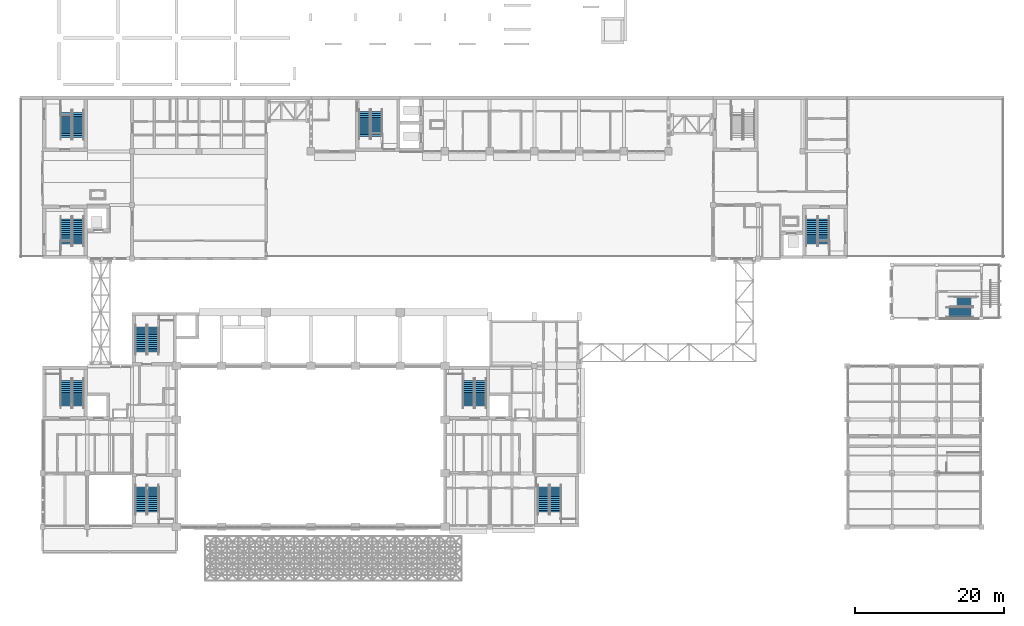
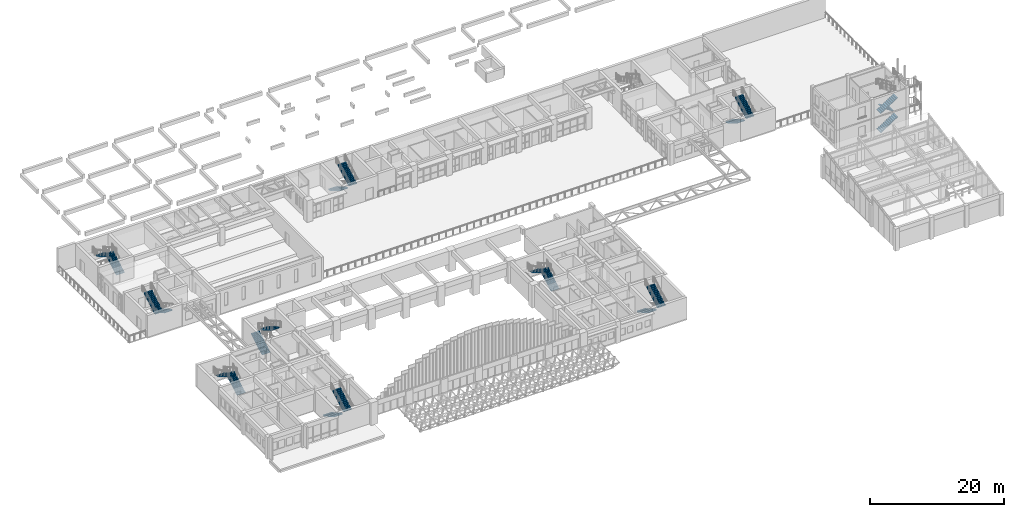
# One storey, part 75 of 103: 21 stair flights, 11 elements without a shape of their own.
"""IFC4 building model written with IfcOpenShell, lengths in metres."""

from ifc_helpers import new_model, si_unit, direction, frame, origin, place, context, subcontext, project, spatial, polyline, outline, extrude, material, type_object, element, aggregate, save


model = new_model("IFC4")

# Units and contexts
model_context = context("Model", 3, precision=1e-05, world=origin(), true_north=direction((0.0, 1.0)))
body_context = subcontext(model_context, "Body", "Model", "MODEL_VIEW")
ifc_project = project(units=[si_unit("LENGTHUNIT", "METRE"), si_unit("AREAUNIT", "SQUARE_METRE"), si_unit("VOLUMEUNIT", "CUBIC_METRE"), si_unit("PLANEANGLEUNIT", "RADIAN"), si_unit("MASSUNIT", "GRAM", prefix="KILO")], contexts=[model_context])

# Site, building, storey
site_placement = place(None, origin())
site = spatial("IfcSite", under=ifc_project, at=site_placement, CompositionType="ELEMENT")
building_placement = place(site_placement, origin())
building = spatial("IfcBuilding", under=site, at=building_placement, Name="Laocheng Heights Fire and Rescue Headquarters", CompositionType="ELEMENT")
storey_placement = place(building_placement, frame((0.0, 0.0, 4.199951171875)))
storey = spatial("IfcBuildingStorey", under=building, at=storey_placement, Name="L01", CompositionType="ELEMENT", Elevation=4.199951171875)

# Stair, stair flights
ifc_material_1 = material(Name="Concrete C40", Category="concrete")
stair_type_1 = type_object("IfcStairType", Name="RC STAIR 1200 TWO FLIGHTS 20 RISERS OF 175 GOING 270", PredefinedType="HALF_TURN_STAIR", material=ifc_material_1)
stair_1_placement = place(storey_placement, origin())
stair_1 = element("IfcStair", 1, at=stair_1_placement, inside=storey, type_object=stair_type_1, Name="Stair T1 (F2 to F3)", PredefinedType="HALF_TURN_STAIR")
ifc_material_2 = material(Name="Concrete C40", Category="concrete")
stair_flight_type_1 = type_object("IfcStairFlightType", Name="RC STAIR FLIGHT 1200 RISERS OF 175 GOING 270", PredefinedType="STRAIGHT", material=ifc_material_2)
stair_flight_1_placement = place(storey_placement, frame((121.625, 28.800048828125, -0.699951171875), z_axis=(0.0, 0.0, 1.0), x_axis=(1.0, 0.0, 0.0)))
stair_flight_1 = element("IfcStairFlight", 2, at=stair_flight_1_placement, type_object=stair_flight_type_1, Name="T1-F2 flight 1", NumberOfRisers=12, NumberOfTreads=11, PredefinedType="STRAIGHT", RiserHeight=0.175, TreadLength=0.27, context=body_context, shape_type="SweptSolid", body=[
    extrude(outline(polyline([(0.0, 0.0), (0.0, 0.175048828125), (0.27001953125, 0.175048828125), (0.27001953125, 0.35009765625), (0.5400390625, 0.35009765625), (0.5400390625, 0.52490234375), (0.81005859375, 0.52490234375), (0.81005859375, 0.699951171875), (1.080078125, 0.699951171875), (1.080078125, 0.875), (1.35009765625, 0.875), (1.35009765625, 1.050048828125), (1.6201171875, 1.050048828125), (1.6201171875, 1.22509765625), (1.889892578125, 1.22509765625), (1.889892578125, 1.39990234375), (2.159912109375, 1.39990234375), (2.159912109375, 1.574951171875), (2.429931640625, 1.574951171875), (2.429931640625, 1.75), (2.699951171875, 1.75), (2.699951171875, 1.925048828125), (2.969970703125, 1.925048828125), (2.969970703125, 2.10009765625), (2.969970703125, 1.865478515625), (0.092041015625, 0.0), (0.0, 0.0)])), frame((0.0, 0.60009765625, 0.0), z_axis=(0.0, -1.0, 0.0), x_axis=(1.0, 0.0, 0.0)), (0.0, 0.0, 1.0), 1.199951171875),
])
stair_flight_2_placement = place(storey_placement, frame((124.594970703125, 30.199951171875, 1.402099609375), z_axis=(0.0, 0.0, 1.0), x_axis=(-1.0, 0.0, 0.0)))
stair_flight_2 = element("IfcStairFlight", 3, at=stair_flight_2_placement, type_object=stair_flight_type_1, Name="T1-F2 flight 2", NumberOfRisers=8, NumberOfTreads=7, PredefinedType="STRAIGHT", RiserHeight=0.175, TreadLength=0.27, context=body_context, shape_type="SweptSolid", body=[
    extrude(outline(polyline([(0.0, 0.0), (0.0, 0.175048828125), (0.27001953125, 0.175048828125), (0.27001953125, 0.35009765625), (0.5400390625, 0.35009765625), (0.5400390625, 0.52490234375), (0.81005859375, 0.52490234375), (0.81005859375, 0.699951171875), (1.080078125, 0.699951171875), (1.080078125, 0.875), (1.35009765625, 0.875), (1.35009765625, 1.050048828125), (1.6201171875, 1.050048828125), (1.6201171875, 1.22509765625), (1.889892578125, 1.22509765625), (1.889892578125, 1.39990234375), (1.889892578125, 1.165283203125), (0.092041015625, 0.0), (0.0, 0.0)])), frame((0.0, 0.60009765625, 0.0), z_axis=(0.0, -1.0, 0.0), x_axis=(1.0, 0.0, 0.0)), (0.0, 0.0, 1.0), 1.199951171875),
])
aggregate(stair_1, [stair_flight_1, stair_flight_2])

# Stair, stair flight
stair_2_placement = place(storey_placement, origin())
stair_2 = element("IfcStair", 4, at=stair_2_placement, inside=storey, type_object=stair_type_1, Name="Stair T1 (F3 to F4)", PredefinedType="HALF_TURN_STAIR")
stair_flight_3_placement = place(storey_placement, frame((121.625, 28.800048828125, 2.800048828125), z_axis=(0.0, 0.0, 1.0), x_axis=(1.0, 0.0, 0.0)))
stair_flight_3 = element("IfcStairFlight", 5, at=stair_flight_3_placement, type_object=stair_flight_type_1, Name="T1-F3 flight 1", NumberOfRisers=12, NumberOfTreads=11, PredefinedType="STRAIGHT", RiserHeight=0.175, TreadLength=0.27, context=body_context, shape_type="SweptSolid", body=[
    extrude(outline(polyline([(0.0, 0.0), (0.0, 0.175048828125), (0.27001953125, 0.175048828125), (0.27001953125, 0.35009765625), (0.5400390625, 0.35009765625), (0.5400390625, 0.52490234375), (0.81005859375, 0.52490234375), (0.81005859375, 0.699951171875), (1.080078125, 0.699951171875), (1.080078125, 0.875), (1.35009765625, 0.875), (1.35009765625, 1.050048828125), (1.6201171875, 1.050048828125), (1.6201171875, 1.22509765625), (1.889892578125, 1.22509765625), (1.889892578125, 1.39990234375), (2.159912109375, 1.39990234375), (2.159912109375, 1.574951171875), (2.429931640625, 1.574951171875), (2.429931640625, 1.75), (2.699951171875, 1.75), (2.699951171875, 1.925048828125), (2.969970703125, 1.925048828125), (2.969970703125, 2.10009765625), (2.969970703125, 1.865478515625), (0.092041015625, 0.0), (0.0, 0.0)])), frame((0.0, 0.60009765625, 0.0), z_axis=(0.0, -1.0, 0.0), x_axis=(1.0, 0.0, 0.0)), (0.0, 0.0, 1.0), 1.199951171875),
])
aggregate(stair_2, [stair_flight_3])

# Stair, stair flights
ifc_material_3 = material(Name="Concrete C40", Category="concrete")
stair_type_2 = type_object("IfcStairType", Name="RC STAIR 1400 TWO FLIGHTS 28 RISERS OF 150 GOING 260", PredefinedType="HALF_TURN_STAIR", material=ifc_material_3)
stair_3_placement = place(storey_placement, origin())
stair_3 = element("IfcStair", 6, at=stair_3_placement, inside=storey, type_object=stair_type_2, Name="Stair W1 (L01 to L02)", PredefinedType="HALF_TURN_STAIR")
ifc_material_4 = material(Name="Concrete C40", Category="concrete")
stair_flight_type_2 = type_object("IfcStairFlightType", Name="RC STAIR FLIGHT 1400 RISERS OF 150 GOING 260", PredefinedType="STRAIGHT", material=ifc_material_4)
stair_flight_4_placement = place(storey_placement, frame((4.77490234375, 16.25, 0.0), z_axis=(0.0, 0.0, 1.0), x_axis=(0.0, 1.0, 0.0)))
stair_flight_4 = element("IfcStairFlight", 7, at=stair_flight_4_placement, type_object=stair_flight_type_2, Name="W1-L01 flight 1", NumberOfRisers=14, NumberOfTreads=13, PredefinedType="STRAIGHT", RiserHeight=0.15, TreadLength=0.26, context=body_context, shape_type="SweptSolid", body=[
    extrude(outline(polyline([(0.0, 0.0), (0.0, 0.14990234375), (0.260009765625, 0.14990234375), (0.260009765625, 0.300048828125), (0.52001953125, 0.300048828125), (0.52001953125, 0.449951171875), (0.780029296875, 0.449951171875), (0.780029296875, 0.60009765625), (1.0400390625, 0.60009765625), (1.0400390625, 0.75), (1.300048828125, 0.75), (1.300048828125, 0.89990234375), (1.56005859375, 0.89990234375), (1.56005859375, 1.050048828125), (1.820068359375, 1.050048828125), (1.820068359375, 1.199951171875), (2.080078125, 1.199951171875), (2.080078125, 1.35009765625), (2.340087890625, 1.35009765625), (2.340087890625, 1.5), (2.60009765625, 1.5), (2.60009765625, 1.64990234375), (2.860107421875, 1.64990234375), (2.860107421875, 1.800048828125), (3.1201171875, 1.800048828125), (3.1201171875, 1.949951171875), (3.3798828125, 1.949951171875), (3.3798828125, 2.10009765625), (3.3798828125, 1.77685546875), (0.300048828125, 0.0), (0.0, 0.0)])), frame((0.0, 0.699951171875, 0.0), z_axis=(0.0, -1.0, 0.0), x_axis=(1.0, 0.0, 0.0)), (0.0, 0.0, 1.0), 1.39990234375),
])
stair_flight_5_placement = place(storey_placement, frame((3.175048828125, 19.6298828125, 2.10205078125), z_axis=(0.0, 0.0, 1.0), x_axis=(0.0, -1.0, 0.0)))
stair_flight_5 = element("IfcStairFlight", 8, at=stair_flight_5_placement, type_object=stair_flight_type_2, Name="W1-L01 flight 2", NumberOfRisers=14, NumberOfTreads=13, PredefinedType="STRAIGHT", RiserHeight=0.15, TreadLength=0.26, context=body_context, shape_type="SweptSolid", body=[
    extrude(outline(polyline([(0.0, 0.0), (0.0, 0.14990234375), (0.260009765625, 0.14990234375), (0.260009765625, 0.300048828125), (0.52001953125, 0.300048828125), (0.52001953125, 0.449951171875), (0.780029296875, 0.449951171875), (0.780029296875, 0.60009765625), (1.0400390625, 0.60009765625), (1.0400390625, 0.75), (1.300048828125, 0.75), (1.300048828125, 0.89990234375), (1.56005859375, 0.89990234375), (1.56005859375, 1.050048828125), (1.820068359375, 1.050048828125), (1.820068359375, 1.199951171875), (2.080078125, 1.199951171875), (2.080078125, 1.35009765625), (2.340087890625, 1.35009765625), (2.340087890625, 1.5), (2.60009765625, 1.5), (2.60009765625, 1.64990234375), (2.860107421875, 1.64990234375), (2.860107421875, 1.800048828125), (3.1201171875, 1.800048828125), (3.1201171875, 1.949951171875), (3.3798828125, 1.949951171875), (3.3798828125, 2.10009765625), (3.3798828125, 1.77685546875), (0.300048828125, 0.0), (0.0, 0.0)])), frame((0.0, 0.699951171875, 0.0), z_axis=(0.0, -1.0, 0.0), x_axis=(1.0, 0.0, 0.0)), (0.0, 0.0, 1.0), 1.39990234375),
])
aggregate(stair_3, [stair_flight_4, stair_flight_5])

stair_4_placement = place(storey_placement, origin())
stair_4 = element("IfcStair", 9, at=stair_4_placement, inside=storey, type_object=stair_type_2, Name="Stair W2 (L01 to L02)", PredefinedType="HALF_TURN_STAIR")
stair_flight_6_placement = place(storey_placement, frame((13.22509765625, 5.35009765625, 0.0), z_axis=(0.0, 0.0, 1.0), x_axis=(0.0, -1.0, 0.0)))
stair_flight_6 = element("IfcStairFlight", 10, at=stair_flight_6_placement, type_object=stair_flight_type_2, Name="W2-L01 flight 1", NumberOfRisers=14, NumberOfTreads=13, PredefinedType="STRAIGHT", RiserHeight=0.15, TreadLength=0.26, context=body_context, shape_type="SweptSolid", body=[
    extrude(outline(polyline([(0.0, 0.0), (0.0, 0.14990234375), (0.260009765625, 0.14990234375), (0.260009765625, 0.300048828125), (0.52001953125, 0.300048828125), (0.52001953125, 0.449951171875), (0.780029296875, 0.449951171875), (0.780029296875, 0.60009765625), (1.0400390625, 0.60009765625), (1.0400390625, 0.75), (1.300048828125, 0.75), (1.300048828125, 0.89990234375), (1.56005859375, 0.89990234375), (1.56005859375, 1.050048828125), (1.820068359375, 1.050048828125), (1.820068359375, 1.199951171875), (2.080078125, 1.199951171875), (2.080078125, 1.35009765625), (2.340087890625, 1.35009765625), (2.340087890625, 1.5), (2.60009765625, 1.5), (2.60009765625, 1.64990234375), (2.860107421875, 1.64990234375), (2.860107421875, 1.800048828125), (3.1201171875, 1.800048828125), (3.1201171875, 1.949951171875), (3.3798828125, 1.949951171875), (3.3798828125, 2.10009765625), (3.3798828125, 1.77685546875), (0.300048828125, 0.0), (0.0, 0.0)])), frame((0.0, 0.699951171875, 0.0), z_axis=(0.0, -1.0, 0.0), x_axis=(1.0, 0.0, 0.0)), (0.0, 0.0, 1.0), 1.39990234375),
])
stair_flight_7_placement = place(storey_placement, frame((14.824951171875, 1.969970703125, 2.10205078125), z_axis=(0.0, 0.0, 1.0), x_axis=(0.0, 1.0, 0.0)))
stair_flight_7 = element("IfcStairFlight", 11, at=stair_flight_7_placement, type_object=stair_flight_type_2, Name="W2-L01 flight 2", NumberOfRisers=14, NumberOfTreads=13, PredefinedType="STRAIGHT", RiserHeight=0.15, TreadLength=0.26, context=body_context, shape_type="SweptSolid", body=[
    extrude(outline(polyline([(0.0, 0.0), (0.0, 0.14990234375), (0.260009765625, 0.14990234375), (0.260009765625, 0.300048828125), (0.52001953125, 0.300048828125), (0.52001953125, 0.449951171875), (0.780029296875, 0.449951171875), (0.780029296875, 0.60009765625), (1.0400390625, 0.60009765625), (1.0400390625, 0.75), (1.300048828125, 0.75), (1.300048828125, 0.89990234375), (1.56005859375, 0.89990234375), (1.56005859375, 1.050048828125), (1.820068359375, 1.050048828125), (1.820068359375, 1.199951171875), (2.080078125, 1.199951171875), (2.080078125, 1.35009765625), (2.340087890625, 1.35009765625), (2.340087890625, 1.5), (2.60009765625, 1.5), (2.60009765625, 1.64990234375), (2.860107421875, 1.64990234375), (2.860107421875, 1.800048828125), (3.1201171875, 1.800048828125), (3.1201171875, 1.949951171875), (3.3798828125, 1.949951171875), (3.3798828125, 2.10009765625), (3.3798828125, 1.77685546875), (0.300048828125, 0.0), (0.0, 0.0)])), frame((0.0, 0.699951171875, 0.0), z_axis=(0.0, -1.0, 0.0), x_axis=(1.0, 0.0, 0.0)), (0.0, 0.0, 1.0), 1.39990234375),
])
aggregate(stair_4, [stair_flight_6, stair_flight_7])

stair_5_placement = place(storey_placement, origin())
stair_5 = element("IfcStair", 12, at=stair_5_placement, inside=storey, type_object=stair_type_2, Name="Stair E1 (L01 to L02)", PredefinedType="HALF_TURN_STAIR")
stair_flight_8_placement = place(storey_placement, frame((58.77490234375, 16.25, 0.0), z_axis=(0.0, 0.0, 1.0), x_axis=(0.0, 1.0, 0.0)))
stair_flight_8 = element("IfcStairFlight", 13, at=stair_flight_8_placement, type_object=stair_flight_type_2, Name="E1-L01 flight 1", NumberOfRisers=14, NumberOfTreads=13, PredefinedType="STRAIGHT", RiserHeight=0.15, TreadLength=0.26, context=body_context, shape_type="SweptSolid", body=[
    extrude(outline(polyline([(0.0, 0.0), (0.0, 0.14990234375), (0.260009765625, 0.14990234375), (0.260009765625, 0.300048828125), (0.52001953125, 0.300048828125), (0.52001953125, 0.449951171875), (0.780029296875, 0.449951171875), (0.780029296875, 0.60009765625), (1.0400390625, 0.60009765625), (1.0400390625, 0.75), (1.300048828125, 0.75), (1.300048828125, 0.89990234375), (1.56005859375, 0.89990234375), (1.56005859375, 1.050048828125), (1.820068359375, 1.050048828125), (1.820068359375, 1.199951171875), (2.080078125, 1.199951171875), (2.080078125, 1.35009765625), (2.340087890625, 1.35009765625), (2.340087890625, 1.5), (2.60009765625, 1.5), (2.60009765625, 1.64990234375), (2.860107421875, 1.64990234375), (2.860107421875, 1.800048828125), (3.1201171875, 1.800048828125), (3.1201171875, 1.949951171875), (3.3798828125, 1.949951171875), (3.3798828125, 2.10009765625), (3.3798828125, 1.77685546875), (0.300048828125, 0.0), (0.0, 0.0)])), frame((0.0, 0.699951171875, 0.0), z_axis=(0.0, -1.0, 0.0), x_axis=(1.0, 0.0, 0.0)), (0.0, 0.0, 1.0), 1.39990234375),
])
stair_flight_9_placement = place(storey_placement, frame((57.175048828125, 19.6298828125, 2.10205078125), z_axis=(0.0, 0.0, 1.0), x_axis=(0.0, -1.0, 0.0)))
stair_flight_9 = element("IfcStairFlight", 14, at=stair_flight_9_placement, type_object=stair_flight_type_2, Name="E1-L01 flight 2", NumberOfRisers=14, NumberOfTreads=13, PredefinedType="STRAIGHT", RiserHeight=0.15, TreadLength=0.26, context=body_context, shape_type="SweptSolid", body=[
    extrude(outline(polyline([(0.0, 0.0), (0.0, 0.14990234375), (0.260009765625, 0.14990234375), (0.260009765625, 0.300048828125), (0.52001953125, 0.300048828125), (0.52001953125, 0.449951171875), (0.780029296875, 0.449951171875), (0.780029296875, 0.60009765625), (1.0400390625, 0.60009765625), (1.0400390625, 0.75), (1.300048828125, 0.75), (1.300048828125, 0.89990234375), (1.56005859375, 0.89990234375), (1.56005859375, 1.050048828125), (1.820068359375, 1.050048828125), (1.820068359375, 1.199951171875), (2.080078125, 1.199951171875), (2.080078125, 1.35009765625), (2.340087890625, 1.35009765625), (2.340087890625, 1.5), (2.60009765625, 1.5), (2.60009765625, 1.64990234375), (2.860107421875, 1.64990234375), (2.860107421875, 1.800048828125), (3.1201171875, 1.800048828125), (3.1201171875, 1.949951171875), (3.3798828125, 1.949951171875), (3.3798828125, 2.10009765625), (3.3798828125, 1.77685546875), (0.300048828125, 0.0), (0.0, 0.0)])), frame((0.0, 0.699951171875, 0.0), z_axis=(0.0, -1.0, 0.0), x_axis=(1.0, 0.0, 0.0)), (0.0, 0.0, 1.0), 1.39990234375),
])
aggregate(stair_5, [stair_flight_8, stair_flight_9])

stair_6_placement = place(storey_placement, origin())
stair_6 = element("IfcStair", 15, at=stair_6_placement, inside=storey, type_object=stair_type_2, Name="Stair E2 (L01 to L02)", PredefinedType="HALF_TURN_STAIR")
stair_flight_10_placement = place(storey_placement, frame((67.22509765625, 5.35009765625, 0.0), z_axis=(0.0, 0.0, 1.0), x_axis=(0.0, -1.0, 0.0)))
stair_flight_10 = element("IfcStairFlight", 16, at=stair_flight_10_placement, type_object=stair_flight_type_2, Name="E2-L01 flight 1", NumberOfRisers=14, NumberOfTreads=13, PredefinedType="STRAIGHT", RiserHeight=0.15, TreadLength=0.26, context=body_context, shape_type="SweptSolid", body=[
    extrude(outline(polyline([(0.0, 0.0), (0.0, 0.14990234375), (0.260009765625, 0.14990234375), (0.260009765625, 0.300048828125), (0.52001953125, 0.300048828125), (0.52001953125, 0.449951171875), (0.780029296875, 0.449951171875), (0.780029296875, 0.60009765625), (1.0400390625, 0.60009765625), (1.0400390625, 0.75), (1.300048828125, 0.75), (1.300048828125, 0.89990234375), (1.56005859375, 0.89990234375), (1.56005859375, 1.050048828125), (1.820068359375, 1.050048828125), (1.820068359375, 1.199951171875), (2.080078125, 1.199951171875), (2.080078125, 1.35009765625), (2.340087890625, 1.35009765625), (2.340087890625, 1.5), (2.60009765625, 1.5), (2.60009765625, 1.64990234375), (2.860107421875, 1.64990234375), (2.860107421875, 1.800048828125), (3.1201171875, 1.800048828125), (3.1201171875, 1.949951171875), (3.3798828125, 1.949951171875), (3.3798828125, 2.10009765625), (3.3798828125, 1.77685546875), (0.300048828125, 0.0), (0.0, 0.0)])), frame((0.0, 0.699951171875, 0.0), z_axis=(0.0, -1.0, 0.0), x_axis=(1.0, 0.0, 0.0)), (0.0, 0.0, 1.0), 1.39990234375),
])
stair_flight_11_placement = place(storey_placement, frame((68.824951171875, 1.969970703125, 2.10205078125), z_axis=(0.0, 0.0, 1.0), x_axis=(0.0, 1.0, 0.0)))
stair_flight_11 = element("IfcStairFlight", 17, at=stair_flight_11_placement, type_object=stair_flight_type_2, Name="E2-L01 flight 2", NumberOfRisers=14, NumberOfTreads=13, PredefinedType="STRAIGHT", RiserHeight=0.15, TreadLength=0.26, context=body_context, shape_type="SweptSolid", body=[
    extrude(outline(polyline([(0.0, 0.0), (0.0, 0.14990234375), (0.260009765625, 0.14990234375), (0.260009765625, 0.300048828125), (0.52001953125, 0.300048828125), (0.52001953125, 0.449951171875), (0.780029296875, 0.449951171875), (0.780029296875, 0.60009765625), (1.0400390625, 0.60009765625), (1.0400390625, 0.75), (1.300048828125, 0.75), (1.300048828125, 0.89990234375), (1.56005859375, 0.89990234375), (1.56005859375, 1.050048828125), (1.820068359375, 1.050048828125), (1.820068359375, 1.199951171875), (2.080078125, 1.199951171875), (2.080078125, 1.35009765625), (2.340087890625, 1.35009765625), (2.340087890625, 1.5), (2.60009765625, 1.5), (2.60009765625, 1.64990234375), (2.860107421875, 1.64990234375), (2.860107421875, 1.800048828125), (3.1201171875, 1.800048828125), (3.1201171875, 1.949951171875), (3.3798828125, 1.949951171875), (3.3798828125, 2.10009765625), (3.3798828125, 1.77685546875), (0.300048828125, 0.0), (0.0, 0.0)])), frame((0.0, 0.699951171875, 0.0), z_axis=(0.0, -1.0, 0.0), x_axis=(1.0, 0.0, 0.0)), (0.0, 0.0, 1.0), 1.39990234375),
])
aggregate(stair_6, [stair_flight_10, stair_flight_11])

stair_7_placement = place(storey_placement, origin())
stair_7 = element("IfcStair", 18, at=stair_7_placement, inside=storey, type_object=stair_type_2, Name="Stair G1 (L01 to L02)", PredefinedType="HALF_TURN_STAIR")
stair_flight_12_placement = place(storey_placement, frame((13.22509765625, 23.449951171875, 0.0), z_axis=(0.0, 0.0, 1.0), x_axis=(0.0, 1.0, 0.0)))
stair_flight_12 = element("IfcStairFlight", 19, at=stair_flight_12_placement, type_object=stair_flight_type_2, Name="G1-L01 flight 1", NumberOfRisers=14, NumberOfTreads=13, PredefinedType="STRAIGHT", RiserHeight=0.15, TreadLength=0.26, context=body_context, shape_type="SweptSolid", body=[
    extrude(outline(polyline([(0.0, 0.0), (0.0, 0.14990234375), (0.260009765625, 0.14990234375), (0.260009765625, 0.300048828125), (0.52001953125, 0.300048828125), (0.52001953125, 0.449951171875), (0.780029296875, 0.449951171875), (0.780029296875, 0.60009765625), (1.0400390625, 0.60009765625), (1.0400390625, 0.75), (1.300048828125, 0.75), (1.300048828125, 0.89990234375), (1.56005859375, 0.89990234375), (1.56005859375, 1.050048828125), (1.820068359375, 1.050048828125), (1.820068359375, 1.199951171875), (2.080078125, 1.199951171875), (2.080078125, 1.35009765625), (2.340087890625, 1.35009765625), (2.340087890625, 1.5), (2.60009765625, 1.5), (2.60009765625, 1.64990234375), (2.860107421875, 1.64990234375), (2.860107421875, 1.800048828125), (3.1201171875, 1.800048828125), (3.1201171875, 1.949951171875), (3.3798828125, 1.949951171875), (3.3798828125, 2.10009765625), (3.3798828125, 1.77685546875), (0.300048828125, 0.0), (0.0, 0.0)])), frame((0.0, 0.699951171875, 0.0), z_axis=(0.0, -1.0, 0.0), x_axis=(1.0, 0.0, 0.0)), (0.0, 0.0, 1.0), 1.39990234375),
])
stair_flight_13_placement = place(storey_placement, frame((14.824951171875, 26.830078125, 2.10205078125), z_axis=(0.0, 0.0, 1.0), x_axis=(0.0, -1.0, 0.0)))
stair_flight_13 = element("IfcStairFlight", 20, at=stair_flight_13_placement, type_object=stair_flight_type_2, Name="G1-L01 flight 2", NumberOfRisers=14, NumberOfTreads=13, PredefinedType="STRAIGHT", RiserHeight=0.15, TreadLength=0.26, context=body_context, shape_type="SweptSolid", body=[
    extrude(outline(polyline([(0.0, 0.0), (0.0, 0.14990234375), (0.260009765625, 0.14990234375), (0.260009765625, 0.300048828125), (0.52001953125, 0.300048828125), (0.52001953125, 0.449951171875), (0.780029296875, 0.449951171875), (0.780029296875, 0.60009765625), (1.0400390625, 0.60009765625), (1.0400390625, 0.75), (1.300048828125, 0.75), (1.300048828125, 0.89990234375), (1.56005859375, 0.89990234375), (1.56005859375, 1.050048828125), (1.820068359375, 1.050048828125), (1.820068359375, 1.199951171875), (2.080078125, 1.199951171875), (2.080078125, 1.35009765625), (2.340087890625, 1.35009765625), (2.340087890625, 1.5), (2.60009765625, 1.5), (2.60009765625, 1.64990234375), (2.860107421875, 1.64990234375), (2.860107421875, 1.800048828125), (3.1201171875, 1.800048828125), (3.1201171875, 1.949951171875), (3.3798828125, 1.949951171875), (3.3798828125, 2.10009765625), (3.3798828125, 1.77685546875), (0.300048828125, 0.0), (0.0, 0.0)])), frame((0.0, 0.699951171875, 0.0), z_axis=(0.0, -1.0, 0.0), x_axis=(1.0, 0.0, 0.0)), (0.0, 0.0, 1.0), 1.39990234375),
])
aggregate(stair_7, [stair_flight_12, stair_flight_13])

stair_8_placement = place(storey_placement, origin())
stair_8 = element("IfcStair", 21, at=stair_8_placement, inside=storey, type_object=stair_type_2, Name="Stair P1 (L01 to L02)", PredefinedType="HALF_TURN_STAIR")
stair_flight_14_placement = place(storey_placement, frame((4.77490234375, 41.35009765625, 0.0), z_axis=(0.0, 0.0, 1.0), x_axis=(0.0, -1.0, 0.0)))
stair_flight_14 = element("IfcStairFlight", 22, at=stair_flight_14_placement, type_object=stair_flight_type_2, Name="P1-L01 flight 1", NumberOfRisers=14, NumberOfTreads=13, PredefinedType="STRAIGHT", RiserHeight=0.15, TreadLength=0.26, context=body_context, shape_type="SweptSolid", body=[
    extrude(outline(polyline([(0.0, 0.0), (0.0, 0.14990234375), (0.260009765625, 0.14990234375), (0.260009765625, 0.300048828125), (0.52001953125, 0.300048828125), (0.52001953125, 0.449951171875), (0.780029296875, 0.449951171875), (0.780029296875, 0.60009765625), (1.0400390625, 0.60009765625), (1.0400390625, 0.75), (1.300048828125, 0.75), (1.300048828125, 0.89990234375), (1.56005859375, 0.89990234375), (1.56005859375, 1.050048828125), (1.820068359375, 1.050048828125), (1.820068359375, 1.199951171875), (2.080078125, 1.199951171875), (2.080078125, 1.35009765625), (2.340087890625, 1.35009765625), (2.340087890625, 1.5), (2.60009765625, 1.5), (2.60009765625, 1.64990234375), (2.860107421875, 1.64990234375), (2.860107421875, 1.800048828125), (3.1201171875, 1.800048828125), (3.1201171875, 1.949951171875), (3.3798828125, 1.949951171875), (3.3798828125, 2.10009765625), (3.3798828125, 1.77685546875), (0.300048828125, 0.0), (0.0, 0.0)])), frame((0.0, 0.699951171875, 0.0), z_axis=(0.0, -1.0, 0.0), x_axis=(1.0, 0.0, 0.0)), (0.0, 0.0, 1.0), 1.39990234375),
])
stair_flight_15_placement = place(storey_placement, frame((3.175048828125, 37.969970703125, 2.10205078125), z_axis=(0.0, 0.0, 1.0), x_axis=(0.0, 1.0, 0.0)))
stair_flight_15 = element("IfcStairFlight", 23, at=stair_flight_15_placement, type_object=stair_flight_type_2, Name="P1-L01 flight 2", NumberOfRisers=14, NumberOfTreads=13, PredefinedType="STRAIGHT", RiserHeight=0.15, TreadLength=0.26, context=body_context, shape_type="SweptSolid", body=[
    extrude(outline(polyline([(0.0, 0.0), (0.0, 0.14990234375), (0.260009765625, 0.14990234375), (0.260009765625, 0.300048828125), (0.52001953125, 0.300048828125), (0.52001953125, 0.449951171875), (0.780029296875, 0.449951171875), (0.780029296875, 0.60009765625), (1.0400390625, 0.60009765625), (1.0400390625, 0.75), (1.300048828125, 0.75), (1.300048828125, 0.89990234375), (1.56005859375, 0.89990234375), (1.56005859375, 1.050048828125), (1.820068359375, 1.050048828125), (1.820068359375, 1.199951171875), (2.080078125, 1.199951171875), (2.080078125, 1.35009765625), (2.340087890625, 1.35009765625), (2.340087890625, 1.5), (2.60009765625, 1.5), (2.60009765625, 1.64990234375), (2.860107421875, 1.64990234375), (2.860107421875, 1.800048828125), (3.1201171875, 1.800048828125), (3.1201171875, 1.949951171875), (3.3798828125, 1.949951171875), (3.3798828125, 2.10009765625), (3.3798828125, 1.77685546875), (0.300048828125, 0.0), (0.0, 0.0)])), frame((0.0, 0.699951171875, 0.0), z_axis=(0.0, -1.0, 0.0), x_axis=(1.0, 0.0, 0.0)), (0.0, 0.0, 1.0), 1.39990234375),
])
aggregate(stair_8, [stair_flight_14, stair_flight_15])

stair_9_placement = place(storey_placement, origin())
stair_9 = element("IfcStair", 24, at=stair_9_placement, inside=storey, type_object=stair_type_2, Name="Stair P2 (L01 to L02)", PredefinedType="HALF_TURN_STAIR")
stair_flight_16_placement = place(storey_placement, frame((4.77490234375, 52.25, 0.0), z_axis=(0.0, 0.0, 1.0), x_axis=(0.0, 1.0, 0.0)))
stair_flight_16 = element("IfcStairFlight", 25, at=stair_flight_16_placement, type_object=stair_flight_type_2, Name="P2-L01 flight 1", NumberOfRisers=14, NumberOfTreads=13, PredefinedType="STRAIGHT", RiserHeight=0.15, TreadLength=0.26, context=body_context, shape_type="SweptSolid", body=[
    extrude(outline(polyline([(0.0, 0.0), (0.0, 0.14990234375), (0.260009765625, 0.14990234375), (0.260009765625, 0.300048828125), (0.52001953125, 0.300048828125), (0.52001953125, 0.449951171875), (0.780029296875, 0.449951171875), (0.780029296875, 0.60009765625), (1.0400390625, 0.60009765625), (1.0400390625, 0.75), (1.300048828125, 0.75), (1.300048828125, 0.89990234375), (1.56005859375, 0.89990234375), (1.56005859375, 1.050048828125), (1.820068359375, 1.050048828125), (1.820068359375, 1.199951171875), (2.080078125, 1.199951171875), (2.080078125, 1.35009765625), (2.340087890625, 1.35009765625), (2.340087890625, 1.5), (2.60009765625, 1.5), (2.60009765625, 1.64990234375), (2.860107421875, 1.64990234375), (2.860107421875, 1.800048828125), (3.1201171875, 1.800048828125), (3.1201171875, 1.949951171875), (3.3798828125, 1.949951171875), (3.3798828125, 2.10009765625), (3.3798828125, 1.77685546875), (0.300048828125, 0.0), (0.0, 0.0)])), frame((0.0, 0.699951171875, 0.0), z_axis=(0.0, -1.0, 0.0), x_axis=(1.0, 0.0, 0.0)), (0.0, 0.0, 1.0), 1.39990234375),
])
stair_flight_17_placement = place(storey_placement, frame((3.175048828125, 55.6298828125, 2.10205078125), z_axis=(0.0, 0.0, 1.0), x_axis=(0.0, -1.0, 0.0)))
stair_flight_17 = element("IfcStairFlight", 26, at=stair_flight_17_placement, type_object=stair_flight_type_2, Name="P2-L01 flight 2", NumberOfRisers=14, NumberOfTreads=13, PredefinedType="STRAIGHT", RiserHeight=0.15, TreadLength=0.26, context=body_context, shape_type="SweptSolid", body=[
    extrude(outline(polyline([(0.0, 0.0), (0.0, 0.14990234375), (0.260009765625, 0.14990234375), (0.260009765625, 0.300048828125), (0.52001953125, 0.300048828125), (0.52001953125, 0.449951171875), (0.780029296875, 0.449951171875), (0.780029296875, 0.60009765625), (1.0400390625, 0.60009765625), (1.0400390625, 0.75), (1.300048828125, 0.75), (1.300048828125, 0.89990234375), (1.56005859375, 0.89990234375), (1.56005859375, 1.050048828125), (1.820068359375, 1.050048828125), (1.820068359375, 1.199951171875), (2.080078125, 1.199951171875), (2.080078125, 1.35009765625), (2.340087890625, 1.35009765625), (2.340087890625, 1.5), (2.60009765625, 1.5), (2.60009765625, 1.64990234375), (2.860107421875, 1.64990234375), (2.860107421875, 1.800048828125), (3.1201171875, 1.800048828125), (3.1201171875, 1.949951171875), (3.3798828125, 1.949951171875), (3.3798828125, 2.10009765625), (3.3798828125, 1.77685546875), (0.300048828125, 0.0), (0.0, 0.0)])), frame((0.0, 0.699951171875, 0.0), z_axis=(0.0, -1.0, 0.0), x_axis=(1.0, 0.0, 0.0)), (0.0, 0.0, 1.0), 1.39990234375),
])
aggregate(stair_9, [stair_flight_16, stair_flight_17])

stair_10_placement = place(storey_placement, origin())
stair_10 = element("IfcStair", 27, at=stair_10_placement, inside=storey, type_object=stair_type_2, Name="Stair C1 (L01 to L02)", PredefinedType="HALF_TURN_STAIR")
stair_flight_18_placement = place(storey_placement, frame((103.22509765625, 41.35009765625, 0.0), z_axis=(0.0, 0.0, 1.0), x_axis=(0.0, -1.0, 0.0)))
stair_flight_18 = element("IfcStairFlight", 28, at=stair_flight_18_placement, type_object=stair_flight_type_2, Name="C1-L01 flight 1", NumberOfRisers=14, NumberOfTreads=13, PredefinedType="STRAIGHT", RiserHeight=0.15, TreadLength=0.26, context=body_context, shape_type="SweptSolid", body=[
    extrude(outline(polyline([(0.0, 0.0), (0.0, 0.14990234375), (0.260009765625, 0.14990234375), (0.260009765625, 0.300048828125), (0.52001953125, 0.300048828125), (0.52001953125, 0.449951171875), (0.780029296875, 0.449951171875), (0.780029296875, 0.60009765625), (1.0400390625, 0.60009765625), (1.0400390625, 0.75), (1.300048828125, 0.75), (1.300048828125, 0.89990234375), (1.56005859375, 0.89990234375), (1.56005859375, 1.050048828125), (1.820068359375, 1.050048828125), (1.820068359375, 1.199951171875), (2.080078125, 1.199951171875), (2.080078125, 1.35009765625), (2.340087890625, 1.35009765625), (2.340087890625, 1.5), (2.60009765625, 1.5), (2.60009765625, 1.64990234375), (2.860107421875, 1.64990234375), (2.860107421875, 1.800048828125), (3.1201171875, 1.800048828125), (3.1201171875, 1.949951171875), (3.3798828125, 1.949951171875), (3.3798828125, 2.10009765625), (3.3798828125, 1.77685546875), (0.300048828125, 0.0), (0.0, 0.0)])), frame((0.0, 0.699951171875, 0.0), z_axis=(0.0, -1.0, 0.0), x_axis=(1.0, 0.0, 0.0)), (0.0, 0.0, 1.0), 1.39990234375),
])
stair_flight_19_placement = place(storey_placement, frame((104.824951171875, 37.969970703125, 2.10205078125), z_axis=(0.0, 0.0, 1.0), x_axis=(0.0, 1.0, 0.0)))
stair_flight_19 = element("IfcStairFlight", 29, at=stair_flight_19_placement, type_object=stair_flight_type_2, Name="C1-L01 flight 2", NumberOfRisers=14, NumberOfTreads=13, PredefinedType="STRAIGHT", RiserHeight=0.15, TreadLength=0.26, context=body_context, shape_type="SweptSolid", body=[
    extrude(outline(polyline([(0.0, 0.0), (0.0, 0.14990234375), (0.260009765625, 0.14990234375), (0.260009765625, 0.300048828125), (0.52001953125, 0.300048828125), (0.52001953125, 0.449951171875), (0.780029296875, 0.449951171875), (0.780029296875, 0.60009765625), (1.0400390625, 0.60009765625), (1.0400390625, 0.75), (1.300048828125, 0.75), (1.300048828125, 0.89990234375), (1.56005859375, 0.89990234375), (1.56005859375, 1.050048828125), (1.820068359375, 1.050048828125), (1.820068359375, 1.199951171875), (2.080078125, 1.199951171875), (2.080078125, 1.35009765625), (2.340087890625, 1.35009765625), (2.340087890625, 1.5), (2.60009765625, 1.5), (2.60009765625, 1.64990234375), (2.860107421875, 1.64990234375), (2.860107421875, 1.800048828125), (3.1201171875, 1.800048828125), (3.1201171875, 1.949951171875), (3.3798828125, 1.949951171875), (3.3798828125, 2.10009765625), (3.3798828125, 1.77685546875), (0.300048828125, 0.0), (0.0, 0.0)])), frame((0.0, 0.699951171875, 0.0), z_axis=(0.0, -1.0, 0.0), x_axis=(1.0, 0.0, 0.0)), (0.0, 0.0, 1.0), 1.39990234375),
])
aggregate(stair_10, [stair_flight_18, stair_flight_19])

stair_11_placement = place(storey_placement, origin())
stair_11 = element("IfcStair", 30, at=stair_11_placement, inside=storey, type_object=stair_type_2, Name="Stair H1 (L01 to L02)", PredefinedType="HALF_TURN_STAIR")
stair_flight_20_placement = place(storey_placement, frame((43.22509765625, 55.75, 0.0), z_axis=(0.0, 0.0, 1.0), x_axis=(0.0, -1.0, 0.0)))
stair_flight_20 = element("IfcStairFlight", 31, at=stair_flight_20_placement, type_object=stair_flight_type_2, Name="H1-L01 flight 1", NumberOfRisers=14, NumberOfTreads=13, PredefinedType="STRAIGHT", RiserHeight=0.15, TreadLength=0.26, context=body_context, shape_type="SweptSolid", body=[
    extrude(outline(polyline([(0.0, 0.0), (0.0, 0.14990234375), (0.260009765625, 0.14990234375), (0.260009765625, 0.300048828125), (0.52001953125, 0.300048828125), (0.52001953125, 0.449951171875), (0.780029296875, 0.449951171875), (0.780029296875, 0.60009765625), (1.0400390625, 0.60009765625), (1.0400390625, 0.75), (1.300048828125, 0.75), (1.300048828125, 0.89990234375), (1.56005859375, 0.89990234375), (1.56005859375, 1.050048828125), (1.820068359375, 1.050048828125), (1.820068359375, 1.199951171875), (2.080078125, 1.199951171875), (2.080078125, 1.35009765625), (2.340087890625, 1.35009765625), (2.340087890625, 1.5), (2.60009765625, 1.5), (2.60009765625, 1.64990234375), (2.860107421875, 1.64990234375), (2.860107421875, 1.800048828125), (3.1201171875, 1.800048828125), (3.1201171875, 1.949951171875), (3.3798828125, 1.949951171875), (3.3798828125, 2.10009765625), (3.3798828125, 1.77685546875), (0.300048828125, 0.0), (0.0, 0.0)])), frame((0.0, 0.699951171875, 0.0), z_axis=(0.0, -1.0, 0.0), x_axis=(1.0, 0.0, 0.0)), (0.0, 0.0, 1.0), 1.39990234375),
])
stair_flight_21_placement = place(storey_placement, frame((44.824951171875, 52.3701171875, 2.10205078125), z_axis=(0.0, 0.0, 1.0), x_axis=(0.0, 1.0, 0.0)))
stair_flight_21 = element("IfcStairFlight", 32, at=stair_flight_21_placement, type_object=stair_flight_type_2, Name="H1-L01 flight 2", NumberOfRisers=14, NumberOfTreads=13, PredefinedType="STRAIGHT", RiserHeight=0.15, TreadLength=0.26, context=body_context, shape_type="SweptSolid", body=[
    extrude(outline(polyline([(0.0, 0.0), (0.0, 0.14990234375), (0.260009765625, 0.14990234375), (0.260009765625, 0.300048828125), (0.52001953125, 0.300048828125), (0.52001953125, 0.449951171875), (0.780029296875, 0.449951171875), (0.780029296875, 0.60009765625), (1.0400390625, 0.60009765625), (1.0400390625, 0.75), (1.300048828125, 0.75), (1.300048828125, 0.89990234375), (1.56005859375, 0.89990234375), (1.56005859375, 1.050048828125), (1.820068359375, 1.050048828125), (1.820068359375, 1.199951171875), (2.080078125, 1.199951171875), (2.080078125, 1.35009765625), (2.340087890625, 1.35009765625), (2.340087890625, 1.5), (2.60009765625, 1.5), (2.60009765625, 1.64990234375), (2.860107421875, 1.64990234375), (2.860107421875, 1.800048828125), (3.1201171875, 1.800048828125), (3.1201171875, 1.949951171875), (3.3798828125, 1.949951171875), (3.3798828125, 2.10009765625), (3.3798828125, 1.77685546875), (0.300048828125, 0.0), (0.0, 0.0)])), frame((0.0, 0.699951171875, 0.0), z_axis=(0.0, -1.0, 0.0), x_axis=(1.0, 0.0, 0.0)), (0.0, 0.0, 1.0), 1.39990234375),
])
aggregate(stair_11, [stair_flight_20, stair_flight_21])

save(model, "model.ifc")
